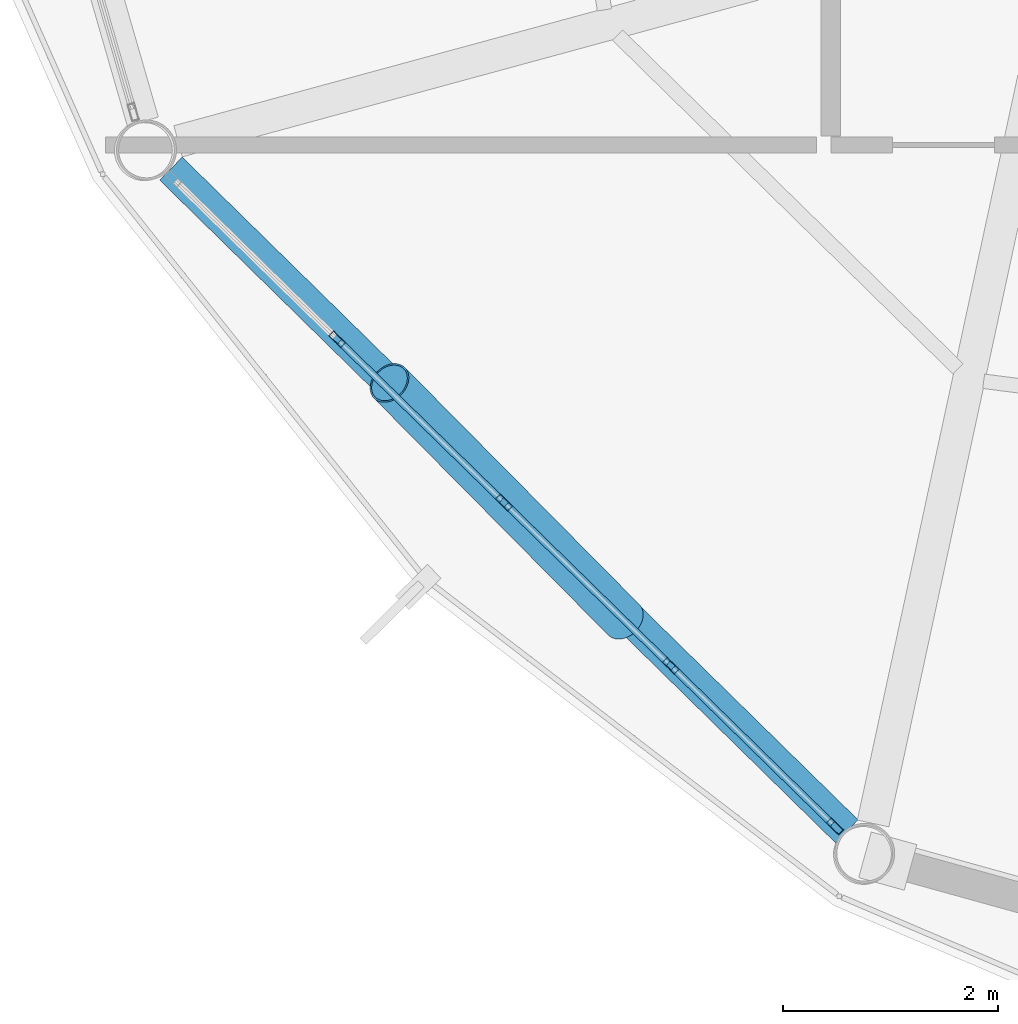
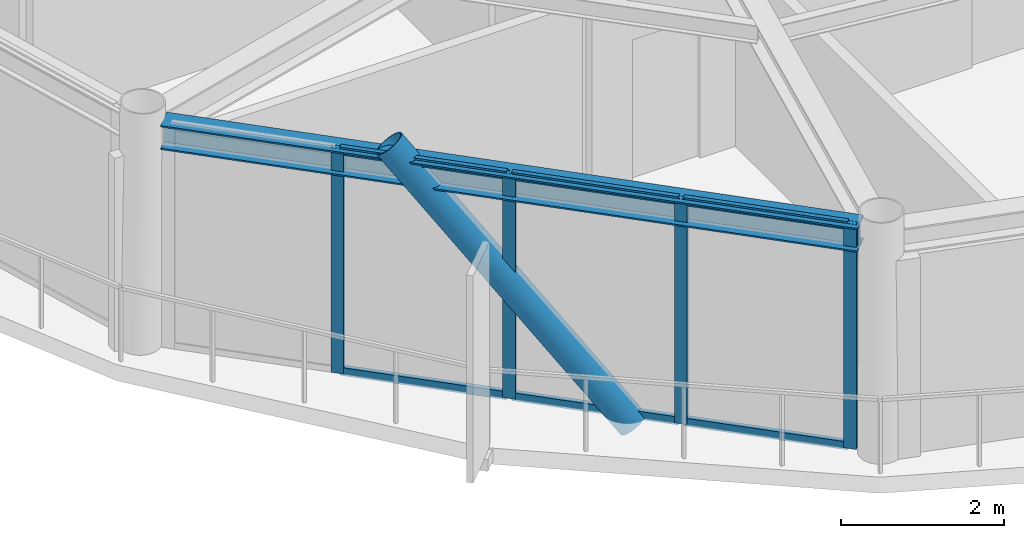
# One storey, part 2 of 25: 11 members, 1 beam, 1 element without a shape of its own.
"""IFC4 building model written with IfcOpenShell, lengths in metres."""

from ifc_helpers import new_model, si_unit, direction, frame, origin, origin_2d, place, context, subcontext, project, spatial, hollow_rectangle, hollow_circle, i_section, extrude, material, layer, layer_set, material_profile, profile_set, type_object, element, aggregate, save


model = new_model("IFC4")

# Units and contexts
model_context = context("Model", 3, precision=1e-05, world=origin(), true_north=direction((0.0, 1.0)))
body_context = subcontext(model_context, "Body", "Model", "MODEL_VIEW")
ifc_project = project(units=[si_unit("LENGTHUNIT", "METRE"), si_unit("AREAUNIT", "SQUARE_METRE"), si_unit("VOLUMEUNIT", "CUBIC_METRE"), si_unit("PLANEANGLEUNIT", "RADIAN"), si_unit("MASSUNIT", "GRAM", prefix="KILO")], contexts=[model_context])

# Site, building, storey
site_placement = place(None, origin())
site = spatial("IfcSite", under=ifc_project, at=site_placement, CompositionType="ELEMENT")
building_placement = place(site_placement, origin())
building = spatial("IfcBuilding", under=site, at=building_placement, Name="Varnakorn Sky Granary", CompositionType="ELEMENT")
storey_placement = place(building_placement, frame((0.0, 0.0, 252.60009765625)))
storey = spatial("IfcBuildingStorey", under=building, at=storey_placement, Name="L64", CompositionType="ELEMENT", Elevation=252.60009765625)

# Beam
ifc_material_1 = material(Name="Steel S355JR", Category="steel")
ifc_material_profile_1 = material_profile(ifc_material_1, i_section(OverallWidth=0.300048828125, OverallDepth=0.360107421875, WebThickness=0.012451171875, FlangeThickness=0.0224609375, at=origin_2d()), Name="HE 360 B")
ifc_profile_set_1 = profile_set([ifc_material_profile_1], Name="Steel S355JR")
beam_type = type_object("IfcBeamType", Name="BM-SPD-Z5", PredefinedType="SPANDREL", material=ifc_profile_set_1)
beam_placement = place(storey_placement, frame((-10.744384765625, -9.1201171875, 3.179931640625), z_axis=(0.714011744048, -0.700133722486, 0.0), x_axis=(0.700133722486, 0.714011744048, 0.0)))
element("IfcBeam", 1, at=beam_placement, inside=storey, type_object=beam_type, Name="Perimeter Spandrel Ring Beam RB08 L64", PredefinedType="SPANDREL", context=body_context, shape_type="SweptSolid", body=[
    extrude(i_section(OverallWidth=0.300048828125, OverallDepth=0.360107421875, WebThickness=0.012451171875, FlangeThickness=0.0224609375, at=origin_2d()), origin(), (0.0, 0.0, 1.0), 8.8134765625),
])

# Curtain wall, members
ifc_material_2 = material(Name="Anodised Bronze Aluminium Alloy 6063-T6", Category="aluminium")
ifc_layer = layer(ifc_material_2, 0.159912109375, Name="Anodised Bronze Aluminium Alloy 6063-T6")
ifc_layer_set = layer_set([ifc_layer], Name="Anodised Bronze Aluminium Alloy 6063-T6")
curtain_wall_type = type_object("IfcCurtainWallType", Name="CW-OFF-1", PredefinedType="USERDEFINED", material=ifc_layer_set)
curtain_wall_placement = place(storey_placement, origin())
curtain_wall = element("IfcCurtainWall", 2, at=curtain_wall_placement, inside=storey, type_object=curtain_wall_type, Name="Unitised Curtain Wall CW6 CW-L64-B08", ObjectType="CURTAIN WALL", PredefinedType="USERDEFINED")
ifc_material_profile_2 = material_profile(ifc_material_2, hollow_rectangle(XDim=0.06494140625, YDim=0.159912109375, WallThickness=0.00341796875, at=origin_2d()), Name="ALU MULL 65x160")
ifc_profile_set_2 = profile_set([ifc_material_profile_2], Name="Anodised Bronze Aluminium Alloy 6063-T6")
member_type_1 = type_object("IfcMemberType", Name="CW-OFF-1-MULL", PredefinedType="MULLION", material=ifc_profile_set_2)
member_1_placement = place(storey_placement, frame((-4.561767578125, -15.2451171875, 0.0), z_axis=(0.0, 0.0, 1.0), x_axis=(-0.699482431072, -0.71464979439, 0.0)))
member_1 = element("IfcMember", 3, at=member_1_placement, type_object=member_type_1, Name="CW6 mullion 1", PredefinedType="MULLION", context=body_context, shape_type="SweptSolid", body=[
    extrude(hollow_rectangle(XDim=0.06494140625, YDim=0.159912109375, WallThickness=0.00341796875, at=origin_2d()), origin(), (0.0, 0.0, 1.0), 3.35986328125),
])
member_2_placement = place(storey_placement, frame((-6.091064453125, -13.748291015625, 0.0), z_axis=(0.0, 0.0, 1.0), x_axis=(-0.699482431072, -0.71464979439, 0.0)))
member_2 = element("IfcMember", 4, at=member_2_placement, type_object=member_type_1, Name="CW6 mullion 2", PredefinedType="MULLION", context=body_context, shape_type="SweptSolid", body=[
    extrude(hollow_rectangle(XDim=0.06494140625, YDim=0.159912109375, WallThickness=0.00341796875, at=origin_2d()), origin(), (0.0, 0.0, 1.0), 3.35986328125),
])
member_3_placement = place(storey_placement, frame((-7.6435546875, -12.228759765625, 0.0), z_axis=(0.0, 0.0, 1.0), x_axis=(-0.699482431072, -0.71464979439, 0.0)))
member_3 = element("IfcMember", 5, at=member_3_placement, type_object=member_type_1, Name="CW6 mullion 3", PredefinedType="MULLION", context=body_context, shape_type="SweptSolid", body=[
    extrude(hollow_rectangle(XDim=0.06494140625, YDim=0.159912109375, WallThickness=0.00341796875, at=origin_2d()), origin(), (0.0, 0.0, 1.0), 3.35986328125),
])
member_4_placement = place(storey_placement, frame((-9.1962890625, -10.708984375, 0.0), z_axis=(0.0, 0.0, 1.0), x_axis=(-0.699482431072, -0.71464979439, 0.0)))
member_4 = element("IfcMember", 6, at=member_4_placement, type_object=member_type_1, Name="CW6 mullion 4", PredefinedType="MULLION", context=body_context, shape_type="SweptSolid", body=[
    extrude(hollow_rectangle(XDim=0.06494140625, YDim=0.159912109375, WallThickness=0.00341796875, at=origin_2d()), origin(), (0.0, 0.0, 1.0), 3.35986328125),
])
ifc_material_profile_3 = material_profile(ifc_material_2, hollow_rectangle(XDim=0.06494140625, YDim=0.1201171875, WallThickness=0.00341796875, at=origin_2d()), Name="ALU TRAN 65x120")
ifc_profile_set_3 = profile_set([ifc_material_profile_3], Name="Anodised Bronze Aluminium Alloy 6063-T6")
member_type_2 = type_object("IfcMemberType", Name="CW-OFF-1-TRAN", PredefinedType="USERDEFINED", material=ifc_profile_set_3)
member_5_placement = place(storey_placement, frame((-4.5849609375, -15.222412109375, 0.032470703125), z_axis=(-0.714655000543, 0.69947711199, 0.0), x_axis=(-0.69947711199, -0.714655000543, 0.0)))
member_5 = element("IfcMember", 7, at=member_5_placement, type_object=member_type_2, Name="CW6 transom 1.1", ObjectType="TRANSOM", PredefinedType="USERDEFINED", context=body_context, shape_type="SweptSolid", body=[
    extrude(hollow_rectangle(XDim=0.06494140625, YDim=0.1201171875, WallThickness=0.00341796875, at=origin_2d()), origin(), (0.0, 0.0, 1.0), 2.074951171875),
])
member_6_placement = place(storey_placement, frame((-4.5849609375, -15.222412109375, 3.327392578125), z_axis=(-0.714655000543, 0.69947711199, 0.0), x_axis=(-0.69947711199, -0.714655000543, 0.0)))
member_6 = element("IfcMember", 8, at=member_6_placement, type_object=member_type_2, Name="CW6 transom 1.2", ObjectType="TRANSOM", PredefinedType="USERDEFINED", context=body_context, shape_type="SweptSolid", body=[
    extrude(hollow_rectangle(XDim=0.06494140625, YDim=0.1201171875, WallThickness=0.00341796875, at=origin_2d()), origin(), (0.0, 0.0, 1.0), 2.074951171875),
])
member_7_placement = place(storey_placement, frame((-6.1142578125, -13.7255859375, 0.032470703125), z_axis=(-0.714653980402, 0.699478154266, 0.0), x_axis=(-0.699478154266, -0.714653980402, 0.0)))
member_7 = element("IfcMember", 9, at=member_7_placement, type_object=member_type_2, Name="CW6 transom 2.1", ObjectType="TRANSOM", PredefinedType="USERDEFINED", context=body_context, shape_type="SweptSolid", body=[
    extrude(hollow_rectangle(XDim=0.06494140625, YDim=0.1201171875, WallThickness=0.00341796875, at=origin_2d()), origin(), (0.0, 0.0, 1.0), 2.107421875),
])
member_8_placement = place(storey_placement, frame((-6.1142578125, -13.7255859375, 3.327392578125), z_axis=(-0.714653980402, 0.699478154266, 0.0), x_axis=(-0.699478154266, -0.714653980402, 0.0)))
member_8 = element("IfcMember", 10, at=member_8_placement, type_object=member_type_2, Name="CW6 transom 2.2", ObjectType="TRANSOM", PredefinedType="USERDEFINED", context=body_context, shape_type="SweptSolid", body=[
    extrude(hollow_rectangle(XDim=0.06494140625, YDim=0.1201171875, WallThickness=0.00341796875, at=origin_2d()), origin(), (0.0, 0.0, 1.0), 2.107421875),
])
member_9_placement = place(storey_placement, frame((-7.6669921875, -12.205810546875, 0.032470703125), z_axis=(-0.714597293426, 0.699536066424, 0.0), x_axis=(-0.699536066424, -0.714597293426, 0.0)))
member_9 = element("IfcMember", 11, at=member_9_placement, type_object=member_type_2, Name="CW6 transom 3.1", ObjectType="TRANSOM", PredefinedType="USERDEFINED", context=body_context, shape_type="SweptSolid", body=[
    extrude(hollow_rectangle(XDim=0.06494140625, YDim=0.1201171875, WallThickness=0.00341796875, at=origin_2d()), origin(), (0.0, 0.0, 1.0), 2.107177734375),
])
member_10_placement = place(storey_placement, frame((-7.6669921875, -12.205810546875, 3.327392578125), z_axis=(-0.714597293426, 0.699536066424, 0.0), x_axis=(-0.699536066424, -0.714597293426, 0.0)))
member_10 = element("IfcMember", 12, at=member_10_placement, type_object=member_type_2, Name="CW6 transom 3.2", ObjectType="TRANSOM", PredefinedType="USERDEFINED", context=body_context, shape_type="SweptSolid", body=[
    extrude(hollow_rectangle(XDim=0.06494140625, YDim=0.1201171875, WallThickness=0.00341796875, at=origin_2d()), origin(), (0.0, 0.0, 1.0), 2.107177734375),
])
aggregate(curtain_wall, [member_1, member_2, member_3, member_4, member_5, member_6, member_7, member_8, member_9, member_10])

# Member
ifc_material_3 = material(Name="Steel S460M", Category="steel")
ifc_material_profile_4 = material_profile(ifc_material_3, hollow_circle(Radius=0.203125, WallThickness=0.01611328125, at=origin_2d()), Name="CHS 406.4x16")
ifc_profile_set_4 = profile_set([ifc_material_profile_4], Name="Steel S460M")
member_type_3 = type_object("IfcMemberType", Name="MB-DIAG-T4", PredefinedType="BRACE", material=ifc_profile_set_4)
member_11_placement = place(storey_placement, frame((-6.52783203125, -13.32080078125, -0.130126953125), z_axis=(-0.457644597658, 0.462611759566, 0.75931006983), x_axis=(-0.710913094372, -0.703279867656, 0.0)))
element("IfcMember", 13, at=member_11_placement, inside=storey, type_object=member_type_3, Name="Perimeter CHS Diagrid Brace DG08 L64", PredefinedType="BRACE", context=body_context, shape_type="SweptSolid", body=[
    extrude(hollow_circle(Radius=0.203125, WallThickness=0.01611328125, at=origin_2d()), origin(), (0.0, 0.0, 1.0), 4.767578125),
])

save(model, "model.ifc")
